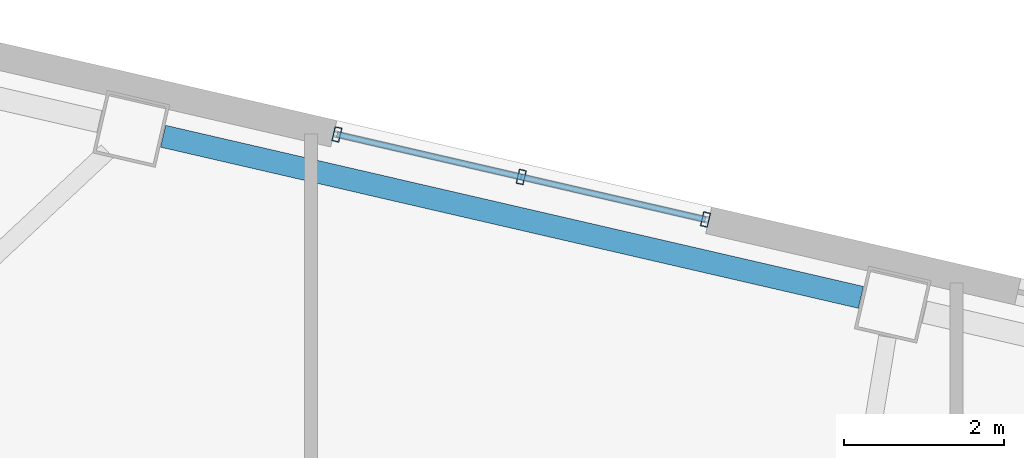
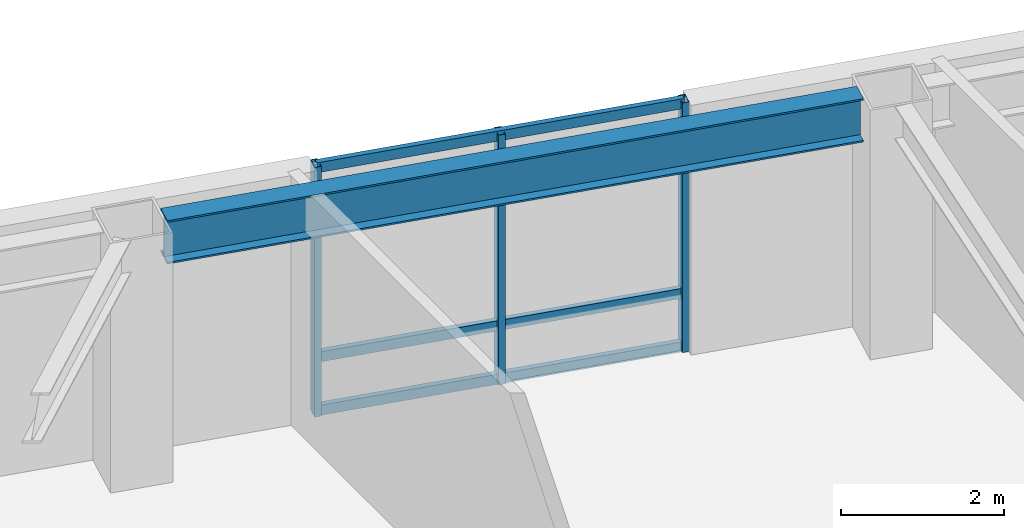
# One storey, part 6 of 19: 6 members, 1 beam, 1 element without a shape of its own.
"""IFC4 building model written with IfcOpenShell, lengths in metres."""

from ifc_helpers import new_model, si_unit, direction, frame, origin, origin_2d, place, context, subcontext, project, spatial, hollow_rectangle, i_section, extrude, material, layer, layer_set, material_profile, profile_set, type_object, element, aggregate, save


model = new_model("IFC4")

# Units and contexts
model_context = context("Model", 3, precision=1e-05, world=origin(), true_north=direction((0.0, 1.0)))
body_context = subcontext(model_context, "Body", "Model", "MODEL_VIEW")
ifc_project = project(units=[si_unit("LENGTHUNIT", "METRE"), si_unit("AREAUNIT", "SQUARE_METRE"), si_unit("VOLUMEUNIT", "CUBIC_METRE"), si_unit("PLANEANGLEUNIT", "RADIAN"), si_unit("MASSUNIT", "GRAM", prefix="KILO")], contexts=[model_context])

# Site, building, storey
site_placement = place(None, origin())
site = spatial("IfcSite", under=ifc_project, at=site_placement, CompositionType="ELEMENT")
building_placement = place(site_placement, origin())
building = spatial("IfcBuilding", under=site, at=building_placement, Name="Tavrogorsk Clinical Tower", CompositionType="ELEMENT")
storey_placement = place(building_placement, frame((0.0, 0.0, 75.39990234375)))
storey = spatial("IfcBuildingStorey", under=building, at=storey_placement, Name="L16", CompositionType="ELEMENT", Elevation=75.39990234375)

# Curtain wall, members
ifc_material_1 = material(Name="Anodised aluminium and triple IGU glazing", Category="aluminium")
ifc_layer = layer(ifc_material_1, 0.179931640625)
ifc_layer_set = layer_set([ifc_layer], Name="Anodised aluminium and triple IGU glazing")
curtain_wall_type = type_object("IfcCurtainWallType", Name="CW2_NorthSlot", PredefinedType="NOTDEFINED", material=ifc_layer_set)
curtain_wall_placement = place(storey_placement, origin())
curtain_wall = element("IfcCurtainWall", 1, at=curtain_wall_placement, inside=storey, type_object=curtain_wall_type, Name="L16 Curtain Wall CW-L16-N-SLOT-1", PredefinedType="NOTDEFINED")
ifc_material_2 = material(Name="Anodised aluminium alloy AW-6060", Category="aluminium")
ifc_material_profile_1 = material_profile(ifc_material_2, hollow_rectangle(XDim=0.090087890625, YDim=0.179931640625, WallThickness=0.00634765625, at=origin_2d()), Name="RHS-180x90x6.3")
ifc_profile_set_1 = profile_set([ifc_material_profile_1], Name="Anodised aluminium alloy AW-6060")
member_type_1 = type_object("IfcMemberType", Name="CwMullion_180x90", PredefinedType="MULLION", material=ifc_profile_set_1)
member_1_placement = place(storey_placement, frame((-3.879638671875, 24.640625, 0.0), z_axis=(0.0, 0.0, 1.0), x_axis=(-0.974370102963, 0.224950888978, 0.0)))
member_1 = element("IfcMember", 2, at=member_1_placement, type_object=member_type_1, Name="CW-L16-N-SLOT-1 Mullion 1", PredefinedType="MULLION", context=body_context, shape_type="SweptSolid", body=[
    extrude(hollow_rectangle(XDim=0.090087890625, YDim=0.179931640625, WallThickness=0.00634765625, at=origin_2d()), origin(), (0.0, 0.0, 1.0), 3.739990234375),
])
member_2_placement = place(storey_placement, frame((-6.17822265625, 25.171142578125, 0.0), z_axis=(0.0, 0.0, 1.0), x_axis=(-0.974370102963, 0.224950888978, 0.0)))
member_2 = element("IfcMember", 3, at=member_2_placement, type_object=member_type_1, Name="CW-L16-N-SLOT-1 Mullion 2", PredefinedType="MULLION", context=body_context, shape_type="SweptSolid", body=[
    extrude(hollow_rectangle(XDim=0.090087890625, YDim=0.179931640625, WallThickness=0.00634765625, at=origin_2d()), origin(), (0.0, 0.0, 1.0), 3.739990234375),
])
member_3_placement = place(storey_placement, frame((-8.476806640625, 25.701904296875, 0.0), z_axis=(0.0, 0.0, 1.0), x_axis=(-0.974370102963, 0.224950888978, 0.0)))
member_3 = element("IfcMember", 4, at=member_3_placement, type_object=member_type_1, Name="CW-L16-N-SLOT-1 Mullion 3", PredefinedType="MULLION", context=body_context, shape_type="SweptSolid", body=[
    extrude(hollow_rectangle(XDim=0.090087890625, YDim=0.179931640625, WallThickness=0.00634765625, at=origin_2d()), origin(), (0.0, 0.0, 1.0), 3.739990234375),
])
ifc_material_3 = material(Name="Anodised aluminium alloy AW-6060", Category="aluminium")
ifc_material_profile_2 = material_profile(ifc_material_3, hollow_rectangle(XDim=0.074951171875, YDim=0.14990234375, WallThickness=0.0048828125, at=origin_2d()), Name="RHS-150x75x5")
ifc_profile_set_2 = profile_set([ifc_material_profile_2], Name="Anodised aluminium alloy AW-6060")
member_type_2 = type_object("IfcMemberType", Name="CwTransom_150x75", PredefinedType="USERDEFINED", material=ifc_profile_set_2)
member_4_placement = place(storey_placement, frame((-3.879638671875, 24.640625, 0.050048828125), z_axis=(-0.974372877948, 0.22493886885, 0.0), x_axis=(-0.22493886885, -0.974372877948, 0.0)))
member_4 = element("IfcMember", 5, at=member_4_placement, type_object=member_type_2, Name="CW-L16-N-SLOT-1 Transom 1", ObjectType="TRANSOM", PredefinedType="USERDEFINED", context=body_context, shape_type="SweptSolid", body=[
    extrude(hollow_rectangle(XDim=0.074951171875, YDim=0.14990234375, WallThickness=0.0048828125, at=origin_2d()), origin(), (0.0, 0.0, 1.0), 4.718017578125),
])
member_5_placement = place(storey_placement, frame((-3.879638671875, 24.640625, 0.85009765625), z_axis=(-0.974372877948, 0.22493886885, 0.0), x_axis=(-0.22493886885, -0.974372877948, 0.0)))
member_5 = element("IfcMember", 6, at=member_5_placement, type_object=member_type_2, Name="CW-L16-N-SLOT-1 Transom 2", ObjectType="TRANSOM", PredefinedType="USERDEFINED", context=body_context, shape_type="SweptSolid", body=[
    extrude(hollow_rectangle(XDim=0.074951171875, YDim=0.14990234375, WallThickness=0.0048828125, at=origin_2d()), origin(), (0.0, 0.0, 1.0), 4.718017578125),
])
member_6_placement = place(storey_placement, frame((-3.879638671875, 24.640625, 3.690185546875), z_axis=(-0.974372877948, 0.22493886885, 0.0), x_axis=(-0.22493886885, -0.974372877948, 0.0)))
member_6 = element("IfcMember", 7, at=member_6_placement, type_object=member_type_2, Name="CW-L16-N-SLOT-1 Transom 3", ObjectType="TRANSOM", PredefinedType="USERDEFINED", context=body_context, shape_type="SweptSolid", body=[
    extrude(hollow_rectangle(XDim=0.074951171875, YDim=0.14990234375, WallThickness=0.0048828125, at=origin_2d()), origin(), (0.0, 0.0, 1.0), 4.718017578125),
])
aggregate(curtain_wall, [member_1, member_2, member_3, member_4, member_5, member_6])

# Beam
ifc_material_4 = material(Name="Structural steel S390", Category="steel")
ifc_material_profile_3 = material_profile(ifc_material_4, i_section(OverallWidth=0.280029296875, OverallDepth=0.64990234375, WebThickness=0.01611328125, FlangeThickness=0.02490234375, at=origin_2d()), Name="B-650x280x16x25")
ifc_profile_set_3 = profile_set([ifc_material_profile_3], Name="Structural steel S390")
beam_type = type_object("IfcBeamType", Name="SpandrelBeam_B650", PredefinedType="SPANDREL", material=ifc_profile_set_3)
beam_placement = place(storey_placement, frame((-1.941162109375, 23.669677734375, 3.4150390625), z_axis=(-0.974372766602, 0.224939351168, 0.0), x_axis=(-0.224939351168, -0.974372766602, 0.0)))
element("IfcBeam", 8, at=beam_placement, inside=storey, type_object=beam_type, Name="L16 Perimeter Spandrel N5-N6", PredefinedType="SPANDREL", context=body_context, shape_type="SweptSolid", body=[
    extrude(i_section(OverallWidth=0.280029296875, OverallDepth=0.64990234375, WebThickness=0.01611328125, FlangeThickness=0.02490234375, at=origin_2d()), origin(), (0.0, 0.0, 1.0), 8.9326171875),
])

save(model, "model.ifc")
